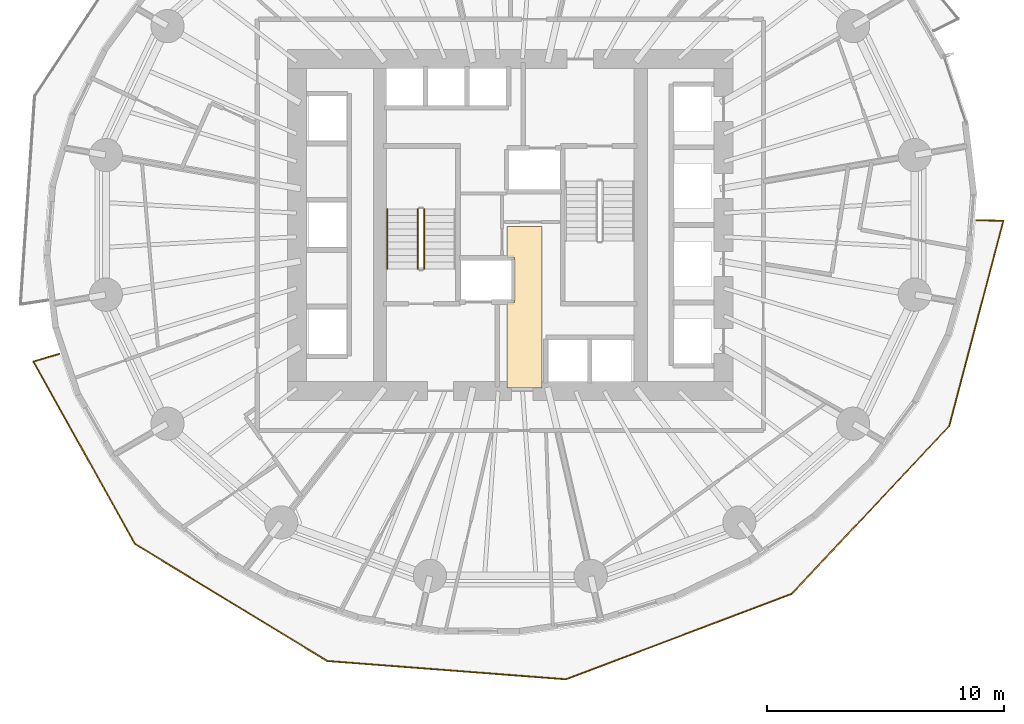
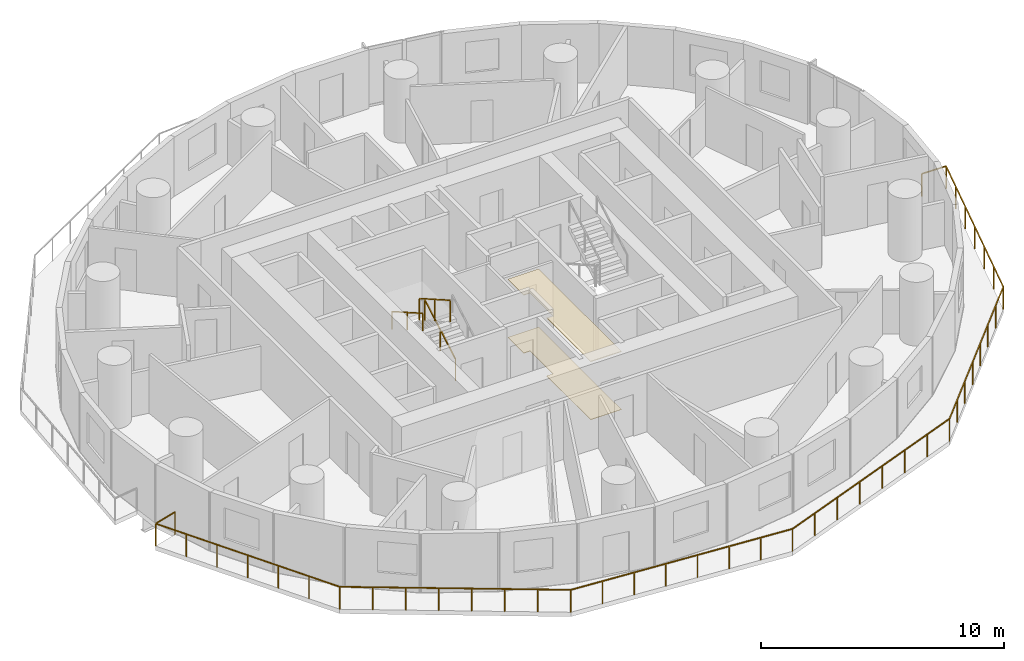
# One storey, part 11 of 13: 4 railings, 2 coverings.
"""IFC4 building model written with IfcOpenShell, lengths in metres."""

from ifc_helpers import new_model, si_unit, direction, frame, origin, origin_2d, place, context, subcontext, project, spatial, polyline, rectangle, outline, extrude, material, layer, layer_set, type_object, element, save


model = new_model("IFC4")

# Units and contexts
model_context = context("Model", 3, precision=1e-05, world=origin(), true_north=direction((0.0, 1.0)))
body_context = subcontext(model_context, "Body", "Model", "MODEL_VIEW")
ifc_project = project(units=[si_unit("LENGTHUNIT", "METRE"), si_unit("AREAUNIT", "SQUARE_METRE"), si_unit("VOLUMEUNIT", "CUBIC_METRE"), si_unit("PLANEANGLEUNIT", "RADIAN"), si_unit("MASSUNIT", "GRAM", prefix="KILO")], contexts=[model_context])

# Site, building, storey
site_placement = place(None, origin())
site = spatial("IfcSite", under=ifc_project, at=site_placement, CompositionType="ELEMENT")
building_placement = place(site_placement, origin())
building = spatial("IfcBuilding", under=site, at=building_placement, Name="Veldorim Arch Residences", CompositionType="ELEMENT")
storey_placement = place(building_placement, frame((0.0, 0.0, 53.60009765625)))
storey = spatial("IfcBuildingStorey", under=building, at=storey_placement, Name="L15", CompositionType="ELEMENT", Elevation=53.60009765625)

# Railings
ifc_material_1 = material(Name="Aluminium", Category="aluminium")
railing_type_1 = type_object("IfcRailingType", Name="Balcony & Terrace Laminated Glass Balustrade 1150", PredefinedType="BALUSTRADE", material=ifc_material_1)
railing_1_placement = place(storey_placement, frame((12.97314453125, 18.56103515625, 0.0)))
element("IfcRailing", 1, at=railing_1_placement, inside=storey, type_object=railing_type_1, Name="L15 crescent balcony safety balustrade B", PredefinedType="BALUSTRADE", context=body_context, shape_type="SweptSolid", body=[
    extrude(rectangle(XDim=0.048095703125, YDim=0.048095703125, at=origin_2d()), frame((0.0, 0.0, 1.1259765625), z_axis=(-0.959067510263, -0.283177525164, 0.0), x_axis=(0.283177525164, -0.959067510263, 0.0)), (0.0, 0.0, 1.0), 1.150146484375),
    extrude(rectangle(XDim=0.048095703125, YDim=0.048095703125, at=origin_2d()), frame((-1.10302734375, -0.32568359375, 1.1259765625), z_axis=(0.486334280984, -0.873772834974, 0.0), x_axis=(0.873772834974, 0.486334280984, 0.0)), (0.0, 0.0, 1.0), 8.813232421875),
    extrude(rectangle(XDim=0.048095703125, YDim=0.048095703125, at=origin_2d()), frame((3.18310546875, -8.0263671875, 1.1259765625), z_axis=(0.854199547936, -0.51994531665, 0.0), x_axis=(0.51994531665, 0.854199547936, 0.0)), (0.0, 0.0, 1.0), 9.501708984375),
    extrude(rectangle(XDim=0.048095703125, YDim=0.048095703125, at=origin_2d()), frame((11.299560546875, -12.966796875, 1.1259765625), z_axis=(0.997079586608, -0.076369483239, 0.0), x_axis=(0.076369483239, 0.997079586608, 0.0)), (0.0, 0.0, 1.0), 10.105224609375),
    extrude(rectangle(XDim=0.048095703125, YDim=0.048095703125, at=origin_2d()), frame((21.375244140625, -13.738525390625, 1.1259765625), z_axis=(0.935251341764, 0.353984360853, 0.0), x_axis=(-0.353984360853, 0.935251341764, 0.0)), (0.0, 0.0, 1.0), 10.197021484375),
    extrude(rectangle(XDim=0.048095703125, YDim=0.048095703125, at=origin_2d()), frame((30.912109375, -10.12890625, 1.1259765625), z_axis=(0.684006377975, 0.729476027632, 0.0), x_axis=(-0.729476027632, 0.684006377975, 0.0)), (0.0, 0.0, 1.0), 9.707763671875),
    extrude(rectangle(XDim=0.048095703125, YDim=0.048095703125, at=origin_2d()), frame((37.55224609375, -3.04736328125, 1.1259765625), z_axis=(0.255088801276, 0.966917630134, 0.0), x_axis=(-0.966917630134, 0.255088801276, 0.0)), (0.0, 0.0, 1.0), 8.959228515625),
    extrude(rectangle(XDim=0.048095703125, YDim=0.048095703125, at=origin_2d()), frame((39.837646484375, 5.615478515625, 1.1259765625), z_axis=(-0.999792348359, 0.020377933215, 0.0), x_axis=(-0.020377933215, -0.999792348359, 0.0)), (0.0, 0.0, 1.0), 1.150146484375),
    extrude(rectangle(XDim=0.0419921875, YDim=0.0419921875, at=origin_2d()), origin(), (0.0, 0.0, 1.0), 1.101806640625),
    extrude(rectangle(XDim=0.0419921875, YDim=0.0419921875, at=origin_2d()), frame((-1.10302734375, -0.32568359375, 0.0)), (0.0, 0.0, 1.0), 1.101806640625),
    extrude(rectangle(XDim=0.0419921875, YDim=0.0419921875, at=origin_2d()), frame((-0.388671875, -1.609130859375, 0.0)), (0.0, 0.0, 1.0), 1.101806640625),
    extrude(rectangle(XDim=0.0419921875, YDim=0.0419921875, at=origin_2d()), frame((0.32568359375, -2.892578125, 0.0)), (0.0, 0.0, 1.0), 1.101806640625),
    extrude(rectangle(XDim=0.0419921875, YDim=0.0419921875, at=origin_2d()), frame((1.0400390625, -4.176025390625, 0.0)), (0.0, 0.0, 1.0), 1.101806640625),
    extrude(rectangle(XDim=0.0419921875, YDim=0.0419921875, at=origin_2d()), frame((1.75439453125, -5.45947265625, 0.0)), (0.0, 0.0, 1.0), 1.101806640625),
    extrude(rectangle(XDim=0.0419921875, YDim=0.0419921875, at=origin_2d()), frame((2.46875, -6.742919921875, 0.0)), (0.0, 0.0, 1.0), 1.101806640625),
    extrude(rectangle(XDim=0.0419921875, YDim=0.0419921875, at=origin_2d()), frame((3.18310546875, -8.0263671875, 0.0)), (0.0, 0.0, 1.0), 1.101806640625),
    extrude(rectangle(XDim=0.0419921875, YDim=0.0419921875, at=origin_2d()), frame((4.342529296875, -8.732177734375, 0.0)), (0.0, 0.0, 1.0), 1.101806640625),
    extrude(rectangle(XDim=0.0419921875, YDim=0.0419921875, at=origin_2d()), frame((5.502197265625, -9.43798828125, 0.0)), (0.0, 0.0, 1.0), 1.101806640625),
    extrude(rectangle(XDim=0.0419921875, YDim=0.0419921875, at=origin_2d()), frame((6.66162109375, -10.143798828125, 0.0)), (0.0, 0.0, 1.0), 1.101806640625),
    extrude(rectangle(XDim=0.0419921875, YDim=0.0419921875, at=origin_2d()), frame((7.821044921875, -10.849365234375, 0.0)), (0.0, 0.0, 1.0), 1.101806640625),
    extrude(rectangle(XDim=0.0419921875, YDim=0.0419921875, at=origin_2d()), frame((8.98046875, -11.55517578125, 0.0)), (0.0, 0.0, 1.0), 1.101806640625),
    extrude(rectangle(XDim=0.0419921875, YDim=0.0419921875, at=origin_2d()), frame((10.14013671875, -12.260986328125, 0.0)), (0.0, 0.0, 1.0), 1.101806640625),
    extrude(rectangle(XDim=0.0419921875, YDim=0.0419921875, at=origin_2d()), frame((11.299560546875, -12.966796875, 0.0)), (0.0, 0.0, 1.0), 1.101806640625),
    extrude(rectangle(XDim=0.0419921875, YDim=0.0419921875, at=origin_2d()), frame((12.739013671875, -13.0771484375, 0.0)), (0.0, 0.0, 1.0), 1.101806640625),
    extrude(rectangle(XDim=0.0419921875, YDim=0.0419921875, at=origin_2d()), frame((14.17822265625, -13.187255859375, 0.0)), (0.0, 0.0, 1.0), 1.101806640625),
    extrude(rectangle(XDim=0.0419921875, YDim=0.0419921875, at=origin_2d()), frame((15.61767578125, -13.297607421875, 0.0)), (0.0, 0.0, 1.0), 1.101806640625),
    extrude(rectangle(XDim=0.0419921875, YDim=0.0419921875, at=origin_2d()), frame((17.05712890625, -13.40771484375, 0.0)), (0.0, 0.0, 1.0), 1.101806640625),
    extrude(rectangle(XDim=0.0419921875, YDim=0.0419921875, at=origin_2d()), frame((18.49658203125, -13.51806640625, 0.0)), (0.0, 0.0, 1.0), 1.101806640625),
    extrude(rectangle(XDim=0.0419921875, YDim=0.0419921875, at=origin_2d()), frame((19.935791015625, -13.628173828125, 0.0)), (0.0, 0.0, 1.0), 1.101806640625),
    extrude(rectangle(XDim=0.0419921875, YDim=0.0419921875, at=origin_2d()), frame((21.375244140625, -13.738525390625, 0.0)), (0.0, 0.0, 1.0), 1.101806640625),
    extrude(rectangle(XDim=0.0419921875, YDim=0.0419921875, at=origin_2d()), frame((22.737548828125, -13.222900390625, 0.0)), (0.0, 0.0, 1.0), 1.101806640625),
    extrude(rectangle(XDim=0.0419921875, YDim=0.0419921875, at=origin_2d()), frame((24.10009765625, -12.707275390625, 0.0)), (0.0, 0.0, 1.0), 1.101806640625),
    extrude(rectangle(XDim=0.0419921875, YDim=0.0419921875, at=origin_2d()), frame((25.46240234375, -12.191650390625, 0.0)), (0.0, 0.0, 1.0), 1.101806640625),
    extrude(rectangle(XDim=0.0419921875, YDim=0.0419921875, at=origin_2d()), frame((26.824951171875, -11.67578125, 0.0)), (0.0, 0.0, 1.0), 1.101806640625),
    extrude(rectangle(XDim=0.0419921875, YDim=0.0419921875, at=origin_2d()), frame((28.187255859375, -11.16015625, 0.0)), (0.0, 0.0, 1.0), 1.101806640625),
    extrude(rectangle(XDim=0.0419921875, YDim=0.0419921875, at=origin_2d()), frame((29.5498046875, -10.64453125, 0.0)), (0.0, 0.0, 1.0), 1.101806640625),
    extrude(rectangle(XDim=0.0419921875, YDim=0.0419921875, at=origin_2d()), frame((30.912109375, -10.12890625, 0.0)), (0.0, 0.0, 1.0), 1.101806640625),
    extrude(rectangle(XDim=0.0419921875, YDim=0.0419921875, at=origin_2d()), frame((31.860595703125, -9.1171875, 0.0)), (0.0, 0.0, 1.0), 1.101806640625),
    extrude(rectangle(XDim=0.0419921875, YDim=0.0419921875, at=origin_2d()), frame((32.809326171875, -8.105712890625, 0.0)), (0.0, 0.0, 1.0), 1.101806640625),
    extrude(rectangle(XDim=0.0419921875, YDim=0.0419921875, at=origin_2d()), frame((33.7578125, -7.093994140625, 0.0)), (0.0, 0.0, 1.0), 1.101806640625),
    extrude(rectangle(XDim=0.0419921875, YDim=0.0419921875, at=origin_2d()), frame((34.70654296875, -6.082275390625, 0.0)), (0.0, 0.0, 1.0), 1.101806640625),
    extrude(rectangle(XDim=0.0419921875, YDim=0.0419921875, at=origin_2d()), frame((35.655029296875, -5.070556640625, 0.0)), (0.0, 0.0, 1.0), 1.101806640625),
    extrude(rectangle(XDim=0.0419921875, YDim=0.0419921875, at=origin_2d()), frame((36.603759765625, -4.05908203125, 0.0)), (0.0, 0.0, 1.0), 1.101806640625),
    extrude(rectangle(XDim=0.0419921875, YDim=0.0419921875, at=origin_2d()), frame((37.55224609375, -3.04736328125, 0.0)), (0.0, 0.0, 1.0), 1.101806640625),
    extrude(rectangle(XDim=0.0419921875, YDim=0.0419921875, at=origin_2d()), frame((37.93310546875, -1.603515625, 0.0)), (0.0, 0.0, 1.0), 1.101806640625),
    extrude(rectangle(XDim=0.0419921875, YDim=0.0419921875, at=origin_2d()), frame((38.31396484375, -0.15966796875, 0.0)), (0.0, 0.0, 1.0), 1.101806640625),
    extrude(rectangle(XDim=0.0419921875, YDim=0.0419921875, at=origin_2d()), frame((38.69482421875, 1.2841796875, 0.0)), (0.0, 0.0, 1.0), 1.101806640625),
    extrude(rectangle(XDim=0.0419921875, YDim=0.0419921875, at=origin_2d()), frame((39.075927734375, 2.727783203125, 0.0)), (0.0, 0.0, 1.0), 1.101806640625),
    extrude(rectangle(XDim=0.0419921875, YDim=0.0419921875, at=origin_2d()), frame((39.456787109375, 4.171630859375, 0.0)), (0.0, 0.0, 1.0), 1.101806640625),
    extrude(rectangle(XDim=0.0419921875, YDim=0.0419921875, at=origin_2d()), frame((39.837646484375, 5.615478515625, 0.0)), (0.0, 0.0, 1.0), 1.101806640625),
    extrude(rectangle(XDim=0.0419921875, YDim=0.0419921875, at=origin_2d()), frame((38.687744140625, 5.638916015625, 0.0)), (0.0, 0.0, 1.0), 1.101806640625),
])
ifc_material_2 = material(Name="Steel S355", Category="steel")
railing_type_2 = type_object("IfcRailingType", Name="Galvanised Steel Stair Safety Guardrail 1100", PredefinedType="GUARDRAIL", material=ifc_material_2)
railing_2_placement = place(storey_placement, frame((28.360107421875, 22.14990234375, 0.159912109375)))
element("IfcRailing", 2, at=railing_2_placement, inside=storey, type_object=railing_type_2, Name="L15 ST-1 stair guard 1", PredefinedType="GUARDRAIL", context=body_context, shape_type="SweptSolid", body=[
    extrude(rectangle(XDim=0.048095703125, YDim=0.048095703125, at=origin_2d()), frame((0.0, 0.0, 1.076171875), z_axis=(0.0, 0.868253494771, 0.496120820787), x_axis=(-1.0, 0.0, 0.0)), (0.0, 0.0, 1.0), 2.90234375),
    extrude(rectangle(XDim=0.0419921875, YDim=0.0419921875, at=origin_2d()), origin(), (0.0, 0.0, 1.0), 1.052001953125),
    extrude(rectangle(XDim=0.0419921875, YDim=0.0419921875, at=origin_2d()), frame((0.0, 1.260009765625, 0.719970703125)), (0.0, 0.0, 1.0), 1.052001953125),
    extrude(rectangle(XDim=0.0419921875, YDim=0.0419921875, at=origin_2d()), frame((0.0, 2.52001953125, 1.43994140625)), (0.0, 0.0, 1.0), 1.052001953125),
])
railing_3_placement = place(storey_placement, frame((28.10009765625, 24.669921875, 1.760009765625)))
element("IfcRailing", 3, at=railing_3_placement, inside=storey, type_object=railing_type_2, Name="L15 ST-1 stair guard 3", PredefinedType="GUARDRAIL", context=body_context, shape_type="SweptSolid", body=[
    extrude(rectangle(XDim=0.048095703125, YDim=0.048095703125, at=origin_2d()), frame((0.0, 0.0, 1.076171875), z_axis=(0.0, -0.868253494771, 0.496120820787), x_axis=(1.0, 0.0, 0.0)), (0.0, 0.0, 1.0), 2.90234375),
    extrude(rectangle(XDim=0.0419921875, YDim=0.0419921875, at=origin_2d()), origin(), (0.0, 0.0, 1.0), 1.052001953125),
    extrude(rectangle(XDim=0.0419921875, YDim=0.0419921875, at=origin_2d()), frame((0.0, -1.260009765625, 0.719970703125)), (0.0, 0.0, 1.0), 1.052001953125),
    extrude(rectangle(XDim=0.0419921875, YDim=0.0419921875, at=origin_2d()), frame((0.0, -2.52001953125, 1.43994140625)), (0.0, 0.0, 1.0), 1.052001953125),
])

# Coverings
ifc_material_3 = material(Name="Acoustic Gypsum & Mineral Fibre", Category="gypsum")
ifc_layer_1 = layer(ifc_material_3, 0.034912109375, Name="Perforated Acoustic Mineral-Fibre Ceiling 35")
ifc_layer_set_1 = layer_set([ifc_layer_1], Name="Acoustic Gypsum & Mineral Fibre")
covering_type_1 = type_object("IfcCoveringType", Name="Perforated Acoustic Mineral-Fibre Ceiling 35", PredefinedType="CEILING", material=ifc_layer_set_1)
covering_1_placement = place(storey_placement, frame((0.0, 0.0, 2.90478515625)))
element("IfcCovering", 4, at=covering_1_placement, inside=storey, type_object=covering_type_1, Name="L15 acoustic suspended ceiling 01", PredefinedType="CEILING", context=body_context, shape_type="SweptSolid", body=[
    extrude(outline(polyline([(33.330078125, 23.929931640625), (33.330078125, 17.1201171875), (31.8701171875, 17.1201171875), (31.8701171875, 20.735107421875), (32.169921875, 20.735107421875), (32.169921875, 22.625), (31.8701171875, 22.625), (31.8701171875, 23.929931640625), (33.330078125, 23.929931640625)])), origin(), (0.0, 0.0, 1.0), 0.03515625),
])
ifc_material_4 = material(Name="Porcelain Ceramic Tile", Category="ceramic")
ifc_layer_2 = layer(ifc_material_4, 0.02001953125, Name="Slip-Resistant Porcelain & Vinyl Floor Finish 20")
ifc_layer_set_2 = layer_set([ifc_layer_2], Name="Porcelain Ceramic Tile")
covering_type_2 = type_object("IfcCoveringType", Name="Slip-Resistant Porcelain & Vinyl Floor Finish 20", PredefinedType="FLOORING", material=ifc_layer_set_2)
covering_2_placement = place(storey_placement, origin())
element("IfcCovering", 5, at=covering_2_placement, inside=storey, type_object=covering_type_2, Name="L15 porcelain floor finish 01", PredefinedType="FLOORING", context=body_context, shape_type="SweptSolid", body=[
    extrude(outline(polyline([(33.330078125, 23.929931640625), (33.330078125, 17.1201171875), (31.8701171875, 17.1201171875), (31.8701171875, 20.735107421875), (32.169921875, 20.735107421875), (32.169921875, 22.625), (31.8701171875, 22.625), (31.8701171875, 23.929931640625), (33.330078125, 23.929931640625)])), origin(), (0.0, 0.0, 1.0), 0.02001953125),
])

# Railing
ifc_material_5 = material(Name="Stainless Steel", Category="steel")
railing_type_3 = type_object("IfcRailingType", Name="Tubular Steel Continuous Wall Handrail 900", PredefinedType="HANDRAIL", material=ifc_material_5)
railing_4_placement = place(storey_placement, frame((26.800048828125, 24.669921875, 1.760009765625)))
element("IfcRailing", 6, at=railing_4_placement, inside=storey, type_object=railing_type_3, Name="L15 ST-1 stair handrail 2", PredefinedType="HANDRAIL", context=body_context, shape_type="SweptSolid", body=[
    extrude(rectangle(XDim=0.048095703125, YDim=0.048095703125, at=origin_2d()), frame((0.0, 0.0, 0.8759765625), z_axis=(0.0, -0.868253494771, 0.496120820787), x_axis=(1.0, 0.0, 0.0)), (0.0, 0.0, 1.0), 2.90234375),
    extrude(rectangle(XDim=0.0419921875, YDim=0.0419921875, at=origin_2d()), origin(), (0.0, 0.0, 1.0), 0.851806640625),
    extrude(rectangle(XDim=0.0419921875, YDim=0.0419921875, at=origin_2d()), frame((0.0, -1.260009765625, 0.719970703125)), (0.0, 0.0, 1.0), 0.851806640625),
    extrude(rectangle(XDim=0.0419921875, YDim=0.0419921875, at=origin_2d()), frame((0.0, -2.52001953125, 1.43994140625)), (0.0, 0.0, 1.0), 0.851806640625),
])

save(model, "model.ifc")
